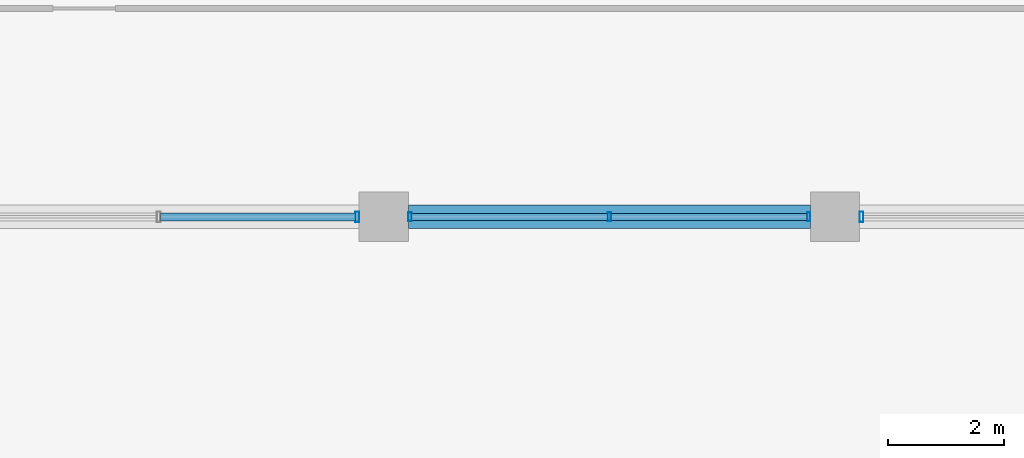
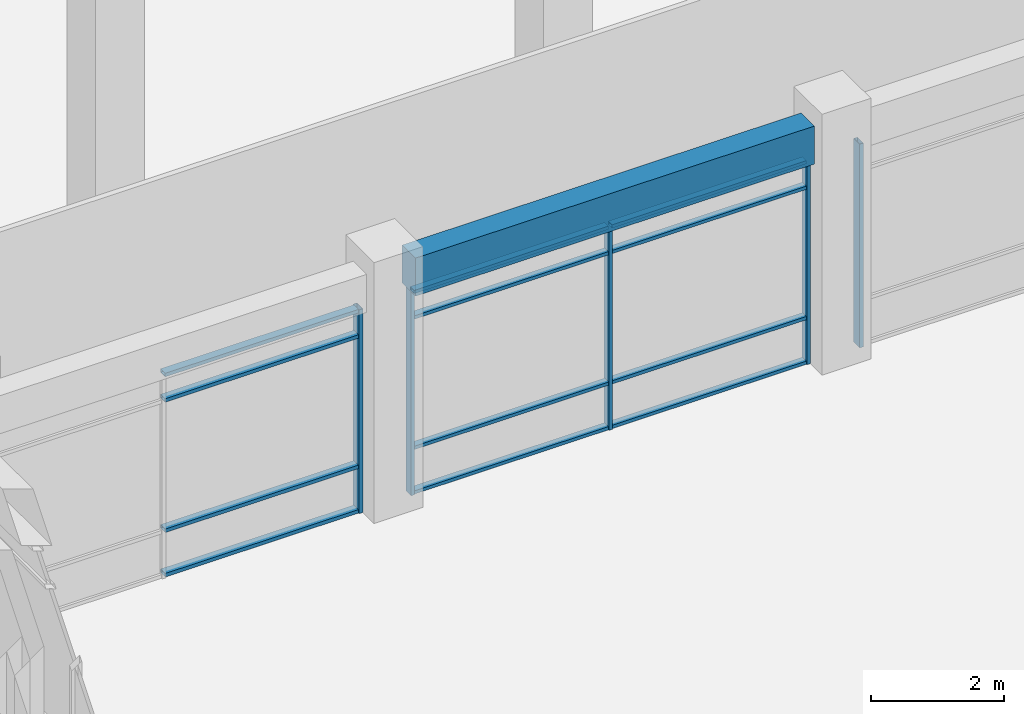
# One storey, part 24 of 74: 17 members, 1 beam, 3 elements without a shape of their own.
"""IFC4 building model written with IfcOpenShell, lengths in metres."""

from ifc_helpers import new_model, si_unit, direction, frame, origin, origin_2d, place, context, subcontext, project, spatial, rectangle, hollow_rectangle, extrude, material, material_profile, profile_set, type_object, element, aggregate, save


model = new_model("IFC4")

# Units and contexts
model_context = context("Model", 3, precision=1e-05, world=origin(), true_north=direction((0.0, 1.0)))
body_context = subcontext(model_context, "Body", "Model", "MODEL_VIEW")
ifc_project = project(units=[si_unit("LENGTHUNIT", "METRE"), si_unit("AREAUNIT", "SQUARE_METRE"), si_unit("VOLUMEUNIT", "CUBIC_METRE"), si_unit("PLANEANGLEUNIT", "RADIAN"), si_unit("MASSUNIT", "GRAM", prefix="KILO"), si_unit("THERMODYNAMICTEMPERATUREUNIT", "KELVIN"), si_unit("POWERUNIT", "WATT")], contexts=[model_context])

# Site, building, storey
site_placement = place(None, origin())
site = spatial("IfcSite", under=ifc_project, at=site_placement, CompositionType="ELEMENT")
building_placement = place(site_placement, origin())
building = spatial("IfcBuilding", under=site, at=building_placement, Name="Srebrne Nadtorze General Hospital", CompositionType="ELEMENT")
storey_placement = place(building_placement, origin())
storey = spatial("IfcBuildingStorey", under=building, at=storey_placement, Name="L00", CompositionType="ELEMENT", Elevation=0.0)

# Curtain wall, members
ifc_material_1 = material(Name="Anodised Aluminium", Category="aluminium")
curtain_wall_type_1 = type_object("IfcCurtainWallType", Name="Unitised curtain wall 6950x3750", PredefinedType="NOTDEFINED", material=ifc_material_1)
curtain_wall_1_placement = place(storey_placement, origin())
curtain_wall_1 = element("IfcCurtainWall", 1, at=curtain_wall_1_placement, inside=storey, type_object=curtain_wall_type_1, Name="Curtain wall CW-014", PredefinedType="NOTDEFINED")
ifc_material_2 = material(Name="Anodised Aluminium", Category="aluminium")
ifc_material_profile_1 = material_profile(ifc_material_2, hollow_rectangle(XDim=0.06005859375, YDim=0.14990234375, WallThickness=0.00390625, at=origin_2d()), Name="AL-MUL-60x150")
ifc_profile_set_1 = profile_set([ifc_material_profile_1], Name="Anodised Aluminium")
member_type_1 = type_object("IfcMemberType", Name="Curtain mullion 60x150", PredefinedType="MULLION", material=ifc_profile_set_1)
member_1_placement = place(storey_placement, frame((62.85498046875, 50.39990234375, 0.0), z_axis=(0.0, 0.0, 1.0), x_axis=(1.0, 0.0, 0.0)))
member_1 = element("IfcMember", 2, at=member_1_placement, type_object=member_type_1, Name="CW-014 mullion 1", PredefinedType="MULLION", context=body_context, shape_type="SweptSolid", body=[
    extrude(hollow_rectangle(XDim=0.06005859375, YDim=0.14990234375, WallThickness=0.00390625, at=origin_2d()), origin(), (0.0, 0.0, 1.0), 3.75),
])
member_2_placement = place(storey_placement, frame((66.300048828125, 50.39990234375, 0.0), z_axis=(0.0, 0.0, 1.0), x_axis=(1.0, 0.0, 0.0)))
member_2 = element("IfcMember", 3, at=member_2_placement, type_object=member_type_1, Name="CW-014 mullion 2", PredefinedType="MULLION", context=body_context, shape_type="SweptSolid", body=[
    extrude(hollow_rectangle(XDim=0.06005859375, YDim=0.14990234375, WallThickness=0.00390625, at=origin_2d()), origin(), (0.0, 0.0, 1.0), 3.75),
])
member_3_placement = place(storey_placement, frame((69.7451171875, 50.39990234375, 0.0), z_axis=(0.0, 0.0, 1.0), x_axis=(1.0, 0.0, 0.0)))
member_3 = element("IfcMember", 4, at=member_3_placement, type_object=member_type_1, Name="CW-014 mullion 3", PredefinedType="MULLION", context=body_context, shape_type="SweptSolid", body=[
    extrude(hollow_rectangle(XDim=0.06005859375, YDim=0.14990234375, WallThickness=0.00390625, at=origin_2d()), origin(), (0.0, 0.0, 1.0), 3.75),
])

# Curtain wall, member
ifc_material_3 = material(Name="Anodised Aluminium", Category="aluminium")
curtain_wall_type_2 = type_object("IfcCurtainWallType", Name="Unitised curtain wall 6925x3750", PredefinedType="NOTDEFINED", material=ifc_material_3)
curtain_wall_2_placement = place(storey_placement, origin())
curtain_wall_2 = element("IfcCurtainWall", 5, at=curtain_wall_2_placement, inside=storey, type_object=curtain_wall_type_2, Name="Curtain wall CW-013", PredefinedType="NOTDEFINED")
ifc_material_4 = material(Name="Anodised Aluminium", Category="aluminium")
ifc_material_profile_2 = material_profile(ifc_material_4, hollow_rectangle(XDim=0.06494140625, YDim=0.179931640625, WallThickness=0.00390625, at=origin_2d()), Name="AL-MUL-65x180")
ifc_profile_set_2 = profile_set([ifc_material_profile_2], Name="Anodised Aluminium")
member_type_2 = type_object("IfcMemberType", Name="Curtain mullion 65x180", PredefinedType="MULLION", material=ifc_profile_set_2)
member_4_placement = place(storey_placement, frame((61.9423828125, 50.39990234375, 0.0), z_axis=(0.0, 0.0, 1.0), x_axis=(1.0, 0.0, 0.0)))
member_4 = element("IfcMember", 6, at=member_4_placement, type_object=member_type_2, Name="CW-013 mullion 3", PredefinedType="MULLION", context=body_context, shape_type="SweptSolid", body=[
    extrude(hollow_rectangle(XDim=0.06494140625, YDim=0.179931640625, WallThickness=0.00390625, at=origin_2d()), origin(), (0.0, 0.0, 1.0), 3.75),
])

curtain_wall_3_placement = place(storey_placement, origin())
curtain_wall_3 = element("IfcCurtainWall", 7, at=curtain_wall_3_placement, inside=storey, type_object=curtain_wall_type_1, Name="Curtain wall CW-015", PredefinedType="NOTDEFINED")
member_5_placement = place(storey_placement, frame((70.657470703125, 50.39990234375, 0.0), z_axis=(0.0, 0.0, 1.0), x_axis=(1.0, 0.0, 0.0)))
member_5 = element("IfcMember", 8, at=member_5_placement, type_object=member_type_2, Name="CW-015 mullion 1", PredefinedType="MULLION", context=body_context, shape_type="SweptSolid", body=[
    extrude(hollow_rectangle(XDim=0.06494140625, YDim=0.179931640625, WallThickness=0.00390625, at=origin_2d()), origin(), (0.0, 0.0, 1.0), 3.75),
])
aggregate(curtain_wall_3, [member_5])

# Member
ifc_material_5 = material(Name="Anodised Aluminium", Category="aluminium")
ifc_material_profile_3 = material_profile(ifc_material_5, hollow_rectangle(XDim=0.06005859375, YDim=0.1201171875, WallThickness=0.00390625, at=origin_2d()), Name="AL-TRN-60x120")
ifc_profile_set_3 = profile_set([ifc_material_profile_3], Name="Anodised Aluminium")
member_type_3 = type_object("IfcMemberType", Name="Curtain transom 60x120", PredefinedType="USERDEFINED", material=ifc_profile_set_3)
member_6_placement = place(storey_placement, frame((62.885009765625, 50.39990234375, 0.030029296875), z_axis=(1.0, 0.0, 0.0), x_axis=(0.0, 0.0, 1.0)))
member_6 = element("IfcMember", 9, at=member_6_placement, type_object=member_type_3, Name="CW-014 transom 1.1", ObjectType="TRANSOM", PredefinedType="USERDEFINED", context=body_context, shape_type="SweptSolid", body=[
    extrude(hollow_rectangle(XDim=0.06005859375, YDim=0.1201171875, WallThickness=0.00390625, at=origin_2d()), origin(), (0.0, 0.0, 1.0), 3.385009765625),
])

member_7_placement = place(storey_placement, frame((62.885009765625, 50.39990234375, 0.85009765625), z_axis=(1.0, 0.0, 0.0), x_axis=(0.0, 0.0, 1.0)))
member_7 = element("IfcMember", 10, at=member_7_placement, type_object=member_type_3, Name="CW-014 transom 1.2", ObjectType="TRANSOM", PredefinedType="USERDEFINED", context=body_context, shape_type="SweptSolid", body=[
    extrude(hollow_rectangle(XDim=0.06005859375, YDim=0.1201171875, WallThickness=0.00390625, at=origin_2d()), origin(), (0.0, 0.0, 1.0), 3.385009765625),
])

member_8_placement = place(storey_placement, frame((62.885009765625, 50.39990234375, 3.25), z_axis=(1.0, 0.0, 0.0), x_axis=(0.0, 0.0, 1.0)))
member_8 = element("IfcMember", 11, at=member_8_placement, type_object=member_type_3, Name="CW-014 transom 1.3", ObjectType="TRANSOM", PredefinedType="USERDEFINED", context=body_context, shape_type="SweptSolid", body=[
    extrude(hollow_rectangle(XDim=0.06005859375, YDim=0.1201171875, WallThickness=0.00390625, at=origin_2d()), origin(), (0.0, 0.0, 1.0), 3.385009765625),
])

member_9_placement = place(storey_placement, frame((62.885009765625, 50.39990234375, 3.719970703125), z_axis=(1.0, 0.0, 0.0), x_axis=(0.0, 0.0, 1.0)))
member_9 = element("IfcMember", 12, at=member_9_placement, type_object=member_type_3, Name="CW-014 transom 1.4", ObjectType="TRANSOM", PredefinedType="USERDEFINED", context=body_context, shape_type="SweptSolid", body=[
    extrude(hollow_rectangle(XDim=0.06005859375, YDim=0.1201171875, WallThickness=0.00390625, at=origin_2d()), origin(), (0.0, 0.0, 1.0), 3.385009765625),
])

member_10_placement = place(storey_placement, frame((66.330078125, 50.39990234375, 0.030029296875), z_axis=(1.0, 0.0, 0.0), x_axis=(0.0, 0.0, 1.0)))
member_10 = element("IfcMember", 13, at=member_10_placement, type_object=member_type_3, Name="CW-014 transom 2.1", ObjectType="TRANSOM", PredefinedType="USERDEFINED", context=body_context, shape_type="SweptSolid", body=[
    extrude(hollow_rectangle(XDim=0.06005859375, YDim=0.1201171875, WallThickness=0.00390625, at=origin_2d()), origin(), (0.0, 0.0, 1.0), 3.385009765625),
])

member_11_placement = place(storey_placement, frame((66.330078125, 50.39990234375, 0.85009765625), z_axis=(1.0, 0.0, 0.0), x_axis=(0.0, 0.0, 1.0)))
member_11 = element("IfcMember", 14, at=member_11_placement, type_object=member_type_3, Name="CW-014 transom 2.2", ObjectType="TRANSOM", PredefinedType="USERDEFINED", context=body_context, shape_type="SweptSolid", body=[
    extrude(hollow_rectangle(XDim=0.06005859375, YDim=0.1201171875, WallThickness=0.00390625, at=origin_2d()), origin(), (0.0, 0.0, 1.0), 3.385009765625),
])

member_12_placement = place(storey_placement, frame((66.330078125, 50.39990234375, 3.25), z_axis=(1.0, 0.0, 0.0), x_axis=(0.0, 0.0, 1.0)))
member_12 = element("IfcMember", 15, at=member_12_placement, type_object=member_type_3, Name="CW-014 transom 2.3", ObjectType="TRANSOM", PredefinedType="USERDEFINED", context=body_context, shape_type="SweptSolid", body=[
    extrude(hollow_rectangle(XDim=0.06005859375, YDim=0.1201171875, WallThickness=0.00390625, at=origin_2d()), origin(), (0.0, 0.0, 1.0), 3.385009765625),
])

member_13_placement = place(storey_placement, frame((66.330078125, 50.39990234375, 3.719970703125), z_axis=(1.0, 0.0, 0.0), x_axis=(0.0, 0.0, 1.0)))
member_13 = element("IfcMember", 16, at=member_13_placement, type_object=member_type_3, Name="CW-014 transom 2.4", ObjectType="TRANSOM", PredefinedType="USERDEFINED", context=body_context, shape_type="SweptSolid", body=[
    extrude(hollow_rectangle(XDim=0.06005859375, YDim=0.1201171875, WallThickness=0.00390625, at=origin_2d()), origin(), (0.0, 0.0, 1.0), 3.385009765625),
])

aggregate(curtain_wall_1, [member_1, member_2, member_3, member_6, member_7, member_8, member_9, member_10, member_11, member_12, member_13])

ifc_material_6 = material(Name="Anodised Aluminium", Category="aluminium")
ifc_material_profile_4 = material_profile(ifc_material_6, hollow_rectangle(XDim=0.06494140625, YDim=0.139892578125, WallThickness=0.00390625, at=origin_2d()), Name="AL-TRN-65x140")
ifc_profile_set_4 = profile_set([ifc_material_profile_4], Name="Anodised Aluminium")
member_type_4 = type_object("IfcMemberType", Name="Curtain transom 65x140", PredefinedType="USERDEFINED", material=ifc_profile_set_4)
member_14_placement = place(storey_placement, frame((58.544921875, 50.39990234375, 0.032470703125), z_axis=(1.0, 0.0, 0.0), x_axis=(0.0, 0.0, 1.0)))
member_14 = element("IfcMember", 17, at=member_14_placement, type_object=member_type_4, Name="CW-013 transom 2.1", ObjectType="TRANSOM", PredefinedType="USERDEFINED", context=body_context, shape_type="SweptSolid", body=[
    extrude(hollow_rectangle(XDim=0.06494140625, YDim=0.139892578125, WallThickness=0.00390625, at=origin_2d()), origin(), (0.0, 0.0, 1.0), 3.364990234375),
])

member_15_placement = place(storey_placement, frame((58.544921875, 50.39990234375, 0.85009765625), z_axis=(1.0, 0.0, 0.0), x_axis=(0.0, 0.0, 1.0)))
member_15 = element("IfcMember", 18, at=member_15_placement, type_object=member_type_4, Name="CW-013 transom 2.2", ObjectType="TRANSOM", PredefinedType="USERDEFINED", context=body_context, shape_type="SweptSolid", body=[
    extrude(hollow_rectangle(XDim=0.06494140625, YDim=0.139892578125, WallThickness=0.00390625, at=origin_2d()), origin(), (0.0, 0.0, 1.0), 3.364990234375),
])

member_16_placement = place(storey_placement, frame((58.544921875, 50.39990234375, 3.25), z_axis=(1.0, 0.0, 0.0), x_axis=(0.0, 0.0, 1.0)))
member_16 = element("IfcMember", 19, at=member_16_placement, type_object=member_type_4, Name="CW-013 transom 2.3", ObjectType="TRANSOM", PredefinedType="USERDEFINED", context=body_context, shape_type="SweptSolid", body=[
    extrude(hollow_rectangle(XDim=0.06494140625, YDim=0.139892578125, WallThickness=0.00390625, at=origin_2d()), origin(), (0.0, 0.0, 1.0), 3.364990234375),
])

member_17_placement = place(storey_placement, frame((58.544921875, 50.39990234375, 3.717529296875), z_axis=(1.0, 0.0, 0.0), x_axis=(0.0, 0.0, 1.0)))
member_17 = element("IfcMember", 20, at=member_17_placement, type_object=member_type_4, Name="CW-013 transom 2.4", ObjectType="TRANSOM", PredefinedType="USERDEFINED", context=body_context, shape_type="SweptSolid", body=[
    extrude(hollow_rectangle(XDim=0.06494140625, YDim=0.139892578125, WallThickness=0.00390625, at=origin_2d()), origin(), (0.0, 0.0, 1.0), 3.364990234375),
])

aggregate(curtain_wall_2, [member_4, member_14, member_15, member_16, member_17])

# Beam
ifc_material_7 = material(Name="Concrete C40/50", Category="concrete")
ifc_material_profile_5 = material_profile(ifc_material_7, rectangle(XDim=0.39990234375, YDim=0.699951171875, at=origin_2d()), Name="RC-BM-400x700")
ifc_profile_set_5 = profile_set([ifc_material_profile_5], Name="Concrete C40/50")
beam_type = type_object("IfcBeamType", Name="Edge beam RC 400x700", PredefinedType="BEAM", material=ifc_profile_set_5)
beam_placement = place(storey_placement, frame((62.824951171875, 50.39990234375, 4.10009765625), z_axis=(1.0, 0.0, 0.0), x_axis=(0.0, 1.0, 0.0)))
element("IfcBeam", 21, at=beam_placement, inside=storey, type_object=beam_type, Name="Beam BM-L00-X-0228", PredefinedType="BEAM", context=body_context, shape_type="SweptSolid", body=[
    extrude(rectangle(XDim=0.39990234375, YDim=0.699951171875, at=origin_2d()), origin(), (0.0, 0.0, 1.0), 6.949951171875),
])

save(model, "model.ifc")
